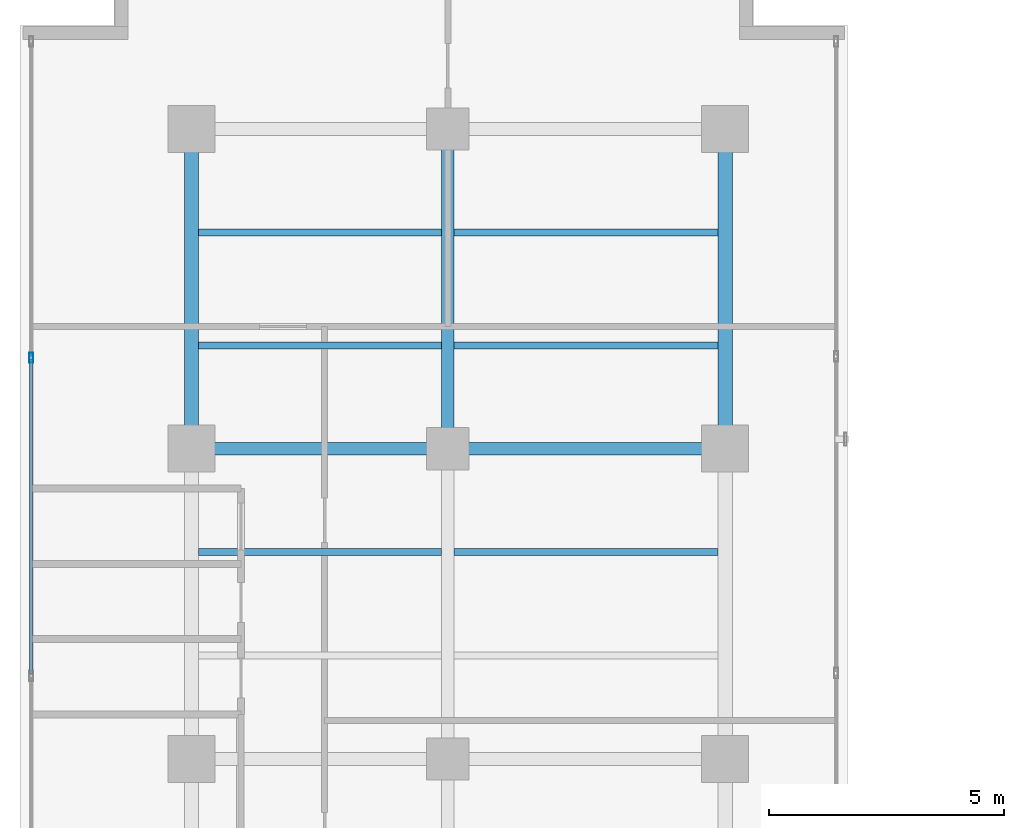
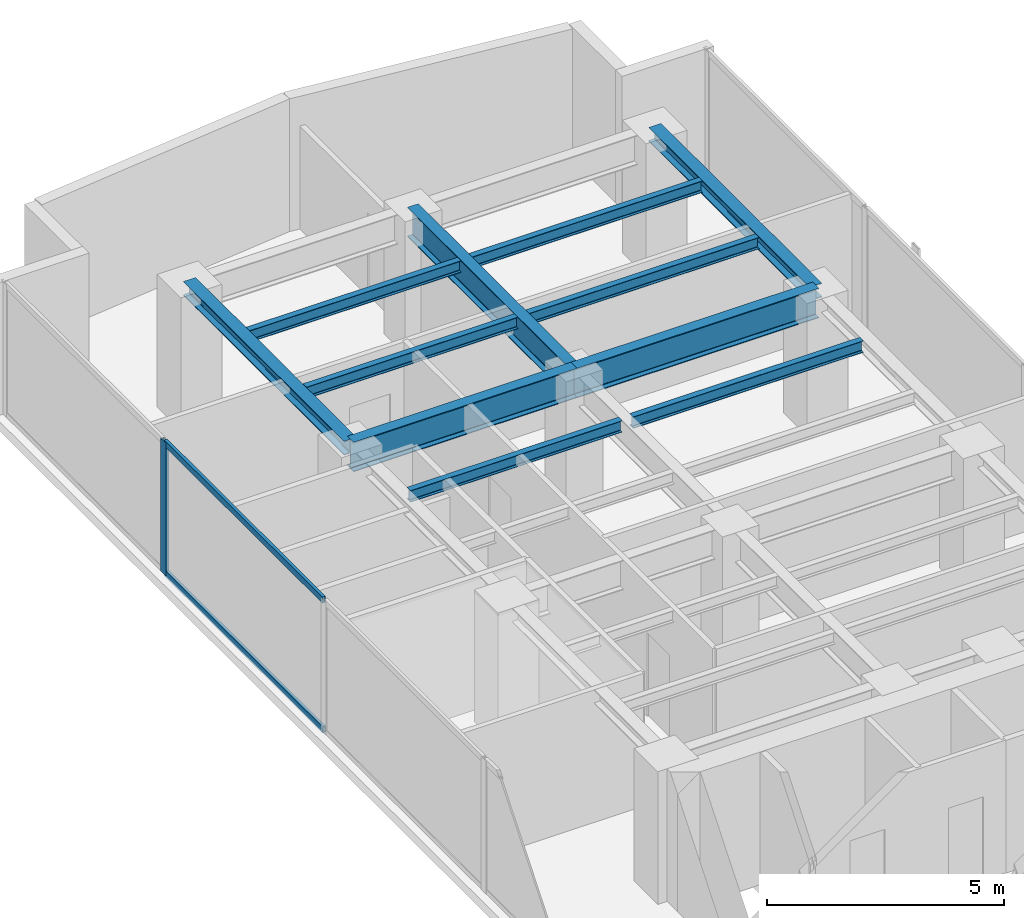
# One storey, part 13 of 24: 11 beams, 3 members, 1 element without a shape of its own.
"""IFC4 building model written with IfcOpenShell, lengths in metres."""

from ifc_helpers import new_model, si_unit, direction, frame, origin, origin_with_axes, origin_2d, place, context, subcontext, project, spatial, hollow_rectangle, i_section, extrude, source, transform, mapped, material, layer, layer_set, material_profile, profile_set, type_object, element, aggregate, save


model = new_model("IFC4")

# Units and contexts
model_context = context("Model", 3, precision=1e-05, world=origin(), true_north=direction((0.0, 1.0)))
body_context = subcontext(model_context, "Body", "Model", "MODEL_VIEW")
ifc_project = project(units=[si_unit("LENGTHUNIT", "METRE"), si_unit("AREAUNIT", "SQUARE_METRE"), si_unit("VOLUMEUNIT", "CUBIC_METRE"), si_unit("PLANEANGLEUNIT", "RADIAN"), si_unit("MASSUNIT", "GRAM", prefix="KILO")], contexts=[model_context])

# Site, building, storey
site_placement = place(None, origin())
site = spatial("IfcSite", under=ifc_project, at=site_placement, CompositionType="ELEMENT")
building_placement = place(site_placement, origin())
building = spatial("IfcBuilding", under=site, at=building_placement, Name="Kolvaren Waterfront Exchange", CompositionType="ELEMENT")
storey_placement = place(building_placement, frame((0.0, 0.0, 253.89990234375)))
storey = spatial("IfcBuildingStorey", under=building, at=storey_placement, Name="L65", CompositionType="ELEMENT", Elevation=253.89990234375)

# Beams
ifc_material_1 = material(Name="Steel S355", Category="steel")
ifc_material_profile_1 = material_profile(ifc_material_1, i_section(OverallWidth=0.300048828125, OverallDepth=0.360107421875, WebThickness=0.012451171875, FlangeThickness=0.0224609375, FilletRadius=0.027099609375, at=origin_2d()), Name="HEB360")
ifc_profile_set_1 = profile_set([ifc_material_profile_1], Name="Steel S355")
beam_type_1 = type_object("IfcBeamType", Name="STR-BM-HEB360", PredefinedType="SPANDREL", material=ifc_profile_set_1)
for number, where, z_axis, x_axis, name in (
    (1, (7.449951171875, 37.800048828125, 3.239990234375), (0.0, 1.0, 0.0), (-1.0, 0.0, 0.0), "L65 north-arm edge beam 3"),
    (2, (18.800048828125, 37.800048828125, 3.239990234375), (0.0, 1.0, 0.0), (-1.0, 0.0, 0.0), "L65 north-arm edge beam 3"),
):
    element("IfcBeam", number, at=place(storey_placement, frame(where, z_axis=z_axis, x_axis=x_axis)), inside=storey, type_object=beam_type_1, Name=name, PredefinedType="SPANDREL", context=body_context, shape_type="SweptSolid", body=[
        extrude(i_section(OverallWidth=0.300048828125, OverallDepth=0.360107421875, WebThickness=0.012451171875, FlangeThickness=0.0224609375, FilletRadius=0.027099609375, at=origin_2d()), origin(), (0.0, 0.0, 1.0), 6.800048828125),
    ])
ifc_material_profile_2 = material_profile(ifc_material_1, i_section(OverallWidth=0.14990234375, OverallDepth=0.300048828125, WebThickness=0.007080078125, FlangeThickness=0.0107421875, FilletRadius=0.014892578125, at=origin_2d()), Name="IPE300")
ifc_profile_set_2 = profile_set([ifc_material_profile_2], Name="Steel S355")
beam_type_2 = type_object("IfcBeamType", Name="STR-BM-IPE300", PredefinedType="JOIST", material=ifc_profile_set_2)
beam_1_placement = place(storey_placement, frame((7.60205078125, 35.60009765625, 3.27001953125), z_axis=(1.0, 0.0, 0.0), x_axis=(0.0, 1.0, 0.0)))
element("IfcBeam", 3, at=beam_1_placement, inside=storey, type_object=beam_type_2, Name="L65 north-arm composite joist 4A", PredefinedType="JOIST", context=body_context, shape_type="SweptSolid", body=[
    extrude(i_section(OverallWidth=0.14990234375, OverallDepth=0.300048828125, WebThickness=0.007080078125, FlangeThickness=0.0107421875, FilletRadius=0.014892578125, at=origin_2d()), origin(), (0.0, 0.0, 1.0), 5.162353515625),
])
beam_2_placement = place(storey_placement, frame((13.035400390625, 35.60009765625, 3.27001953125), z_axis=(1.0, 0.0, 0.0), x_axis=(0.0, 1.0, 0.0)))
element("IfcBeam", 4, at=beam_2_placement, inside=storey, type_object=beam_type_2, Name="L65 north-arm composite joist 4B", PredefinedType="JOIST", context=body_context, shape_type="SweptSolid", body=[
    extrude(i_section(OverallWidth=0.14990234375, OverallDepth=0.300048828125, WebThickness=0.007080078125, FlangeThickness=0.0107421875, FilletRadius=0.014892578125, at=origin_2d()), origin(), (0.0, 0.0, 1.0), 5.612548828125),
])
beam_3_placement = place(storey_placement, frame((7.60205078125, 40.0, 3.27001953125), z_axis=(1.0, 0.0, 0.0), x_axis=(0.0, 1.0, 0.0)))
element("IfcBeam", 5, at=beam_3_placement, inside=storey, type_object=beam_type_2, Name="L65 north-arm composite joist 5A", PredefinedType="JOIST", context=body_context, shape_type="SweptSolid", body=[
    extrude(i_section(OverallWidth=0.14990234375, OverallDepth=0.300048828125, WebThickness=0.007080078125, FlangeThickness=0.0107421875, FilletRadius=0.014892578125, at=origin_2d()), origin(), (0.0, 0.0, 1.0), 5.162353515625),
])
beam_4_placement = place(storey_placement, frame((13.035400390625, 40.0, 3.27001953125), z_axis=(1.0, 0.0, 0.0), x_axis=(0.0, 1.0, 0.0)))
element("IfcBeam", 6, at=beam_4_placement, inside=storey, type_object=beam_type_2, Name="L65 north-arm composite joist 5B", PredefinedType="JOIST", context=body_context, shape_type="SweptSolid", body=[
    extrude(i_section(OverallWidth=0.14990234375, OverallDepth=0.300048828125, WebThickness=0.007080078125, FlangeThickness=0.0107421875, FilletRadius=0.014892578125, at=origin_2d()), origin(), (0.0, 0.0, 1.0), 5.612548828125),
])
beam_5_placement = place(storey_placement, frame((7.60205078125, 42.39990234375, 3.27001953125), z_axis=(1.0, 0.0, 0.0), x_axis=(0.0, 1.0, 0.0)))
element("IfcBeam", 7, at=beam_5_placement, inside=storey, type_object=beam_type_2, Name="L65 north-arm composite joist 6A", PredefinedType="JOIST", context=body_context, shape_type="SweptSolid", body=[
    extrude(i_section(OverallWidth=0.14990234375, OverallDepth=0.300048828125, WebThickness=0.007080078125, FlangeThickness=0.0107421875, FilletRadius=0.014892578125, at=origin_2d()), origin(), (0.0, 0.0, 1.0), 5.162353515625),
])
beam_6_placement = place(storey_placement, frame((13.035400390625, 42.39990234375, 3.27001953125), z_axis=(1.0, 0.0, 0.0), x_axis=(0.0, 1.0, 0.0)))
element("IfcBeam", 8, at=beam_6_placement, inside=storey, type_object=beam_type_2, Name="L65 north-arm composite joist 6B", PredefinedType="JOIST", context=body_context, shape_type="SweptSolid", body=[
    extrude(i_section(OverallWidth=0.14990234375, OverallDepth=0.300048828125, WebThickness=0.007080078125, FlangeThickness=0.0107421875, FilletRadius=0.014892578125, at=origin_2d()), origin(), (0.0, 0.0, 1.0), 5.612548828125),
])
ifc_material_profile_3 = material_profile(ifc_material_1, i_section(OverallWidth=0.26708984375, OverallDepth=0.761962890625, WebThickness=0.014404296875, FlangeThickness=0.021484375, FilletRadius=0.01708984375, at=origin_2d()), Name="IPE750x173")
ifc_profile_set_3 = profile_set([ifc_material_profile_3], Name="Steel S355")
beam_type_3 = type_object("IfcBeamType", Name="STR-BM-IPE750", PredefinedType="BEAM", material=ifc_profile_set_3)
beam_7_placement = place(storey_placement, frame((7.449951171875, 37.800048828125, 3.0390625), z_axis=(1.0, 0.0, 0.0), x_axis=(0.0, 1.0, 0.0)))
element("IfcBeam", 9, at=beam_7_placement, inside=storey, type_object=beam_type_3, Name="L65 north-arm girder 3A", PredefinedType="BEAM", context=body_context, shape_type="SweptSolid", body=[
    extrude(i_section(OverallWidth=0.26708984375, OverallDepth=0.761962890625, WebThickness=0.014404296875, FlangeThickness=0.021484375, FilletRadius=0.01708984375, at=origin_2d()), origin(), (0.0, 0.0, 1.0), 5.449951171875),
])
beam_8_placement = place(storey_placement, frame((12.89990234375, 37.800048828125, 3.0390625), z_axis=(1.0, 0.0, 0.0), x_axis=(0.0, 1.0, 0.0)))
element("IfcBeam", 10, at=beam_8_placement, inside=storey, type_object=beam_type_3, Name="L65 north-arm girder 3B", PredefinedType="BEAM", context=body_context, shape_type="SweptSolid", body=[
    extrude(i_section(OverallWidth=0.26708984375, OverallDepth=0.761962890625, WebThickness=0.014404296875, FlangeThickness=0.021484375, FilletRadius=0.01708984375, at=origin_2d()), origin(), (0.0, 0.0, 1.0), 5.900146484375),
])
beam_9_placement = place(storey_placement, frame((12.89990234375, 37.800048828125, 3.0390625), z_axis=(0.0, 1.0, 0.0), x_axis=(-1.0, 0.0, 0.0)))
element("IfcBeam", 11, at=beam_9_placement, inside=storey, type_object=beam_type_3, Name="L65 north-arm edge beam 3", PredefinedType="BEAM", context=body_context, shape_type="SweptSolid", body=[
    extrude(i_section(OverallWidth=0.26708984375, OverallDepth=0.761962890625, WebThickness=0.014404296875, FlangeThickness=0.021484375, FilletRadius=0.01708984375, at=origin_2d()), origin(), (0.0, 0.0, 1.0), 6.800048828125),
])

# Curtain wall, members
ifc_material_2 = material(Name="Anodised aluminium 6063-T6", Category="aluminium")
ifc_layer = layer(ifc_material_2, 0.219970703125, Name="Anodised aluminium 6063-T6")
ifc_layer_set = layer_set([ifc_layer], Name="Anodised aluminium 6063-T6")
curtain_wall_type = type_object("IfcCurtainWallType", Name="ARC-CW-SYS2", PredefinedType="USERDEFINED", material=ifc_layer_set)
curtain_wall_placement = place(storey_placement, origin())
curtain_wall = element("IfcCurtainWall", 12, at=curtain_wall_placement, inside=storey, type_object=curtain_wall_type, Name="L65 stick curtain wall CW2 (CW-L65-W)", ObjectType="STICK CURTAIN WALL", PredefinedType="USERDEFINED")
ifc_material_profile_4 = material_profile(ifc_material_2, hollow_rectangle(XDim=0.074951171875, YDim=0.159912109375, WallThickness=0.00439453125, at=origin_2d()), Name="ALU-TRN-160x75x4.5")
ifc_profile_set_4 = profile_set([ifc_material_profile_4], Name="Anodised aluminium 6063-T6")
member_type_1 = type_object("IfcMemberType", Name="ARC-CWT-160", PredefinedType="USERDEFINED", material=ifc_profile_set_4)
shared_shape_1 = source(origin_with_axes(), body_context, "Body", "SweptSolid", [
    extrude(hollow_rectangle(XDim=0.074951171875, YDim=0.159912109375, WallThickness=0.00439453125, at=origin_2d()), origin(), (0.0, 0.0, 1.0), 6.686767578125),
])
member_1_placement = place(storey_placement, frame((4.0400390625, 33.006591796875, 0.03759765625), z_axis=(0.0, 1.0, 0.0), x_axis=(-1.0, 0.0, 0.0)))
member_1 = element("IfcMember", 13, at=member_1_placement, type_object=member_type_1, Name="CW2 transom 5.1", ObjectType="TRANSOM", PredefinedType="USERDEFINED", context=body_context, shape_type="MappedRepresentation", body=[
    mapped(shared_shape_1, transform((0.0, 0.0, 0.0), x_axis=(1.0, 0.0, 0.0), y_axis=(0.0, 1.0, 0.0), z_axis=(0.0, 0.0, 1.0), scale=1.0)),
])
member_2_placement = place(storey_placement, frame((4.0400390625, 33.006591796875, 3.382568359375), z_axis=(0.0, 1.0, 0.0), x_axis=(-1.0, 0.0, 0.0)))
member_2 = element("IfcMember", 14, at=member_2_placement, type_object=member_type_1, Name="CW2 transom 5.2", ObjectType="TRANSOM", PredefinedType="USERDEFINED", context=body_context, shape_type="MappedRepresentation", body=[
    mapped(shared_shape_1, transform((0.0, 0.0, 0.0), x_axis=(1.0, 0.0, 0.0), y_axis=(0.0, 1.0, 0.0), z_axis=(0.0, 0.0, 1.0), scale=1.0)),
])
ifc_material_profile_5 = material_profile(ifc_material_2, hollow_rectangle(XDim=0.080078125, YDim=0.219970703125, WallThickness=0.0048828125, at=origin_2d()), Name="ALU-MUL-220x80x5")
ifc_profile_set_5 = profile_set([ifc_material_profile_5], Name="Anodised aluminium 6063-T6")
member_type_2 = type_object("IfcMemberType", Name="ARC-CWM-220", PredefinedType="MULLION", material=ifc_profile_set_5)
shared_shape_2 = source(origin_with_axes(), body_context, "Body", "SweptSolid", [
    extrude(hollow_rectangle(XDim=0.080078125, YDim=0.219970703125, WallThickness=0.0048828125, at=origin_2d()), origin(), (0.0, 0.0, 1.0), 3.420166015625),
])
member_3_placement = place(storey_placement, frame((4.0400390625, 39.7333984375, 0.0), z_axis=(0.0, 0.0, 1.0), x_axis=(-1.0, 0.0, 0.0)))
member_3 = element("IfcMember", 15, at=member_3_placement, type_object=member_type_2, Name="CW2 mullion 6", PredefinedType="MULLION", context=body_context, shape_type="MappedRepresentation", body=[
    mapped(shared_shape_2, transform((0.0, 0.0, 0.0), x_axis=(1.0, 0.0, 0.0), y_axis=(0.0, 1.0, 0.0), z_axis=(0.0, 0.0, 1.0), scale=1.0)),
])
aggregate(curtain_wall, [member_3, member_1, member_2])

save(model, "model.ifc")
